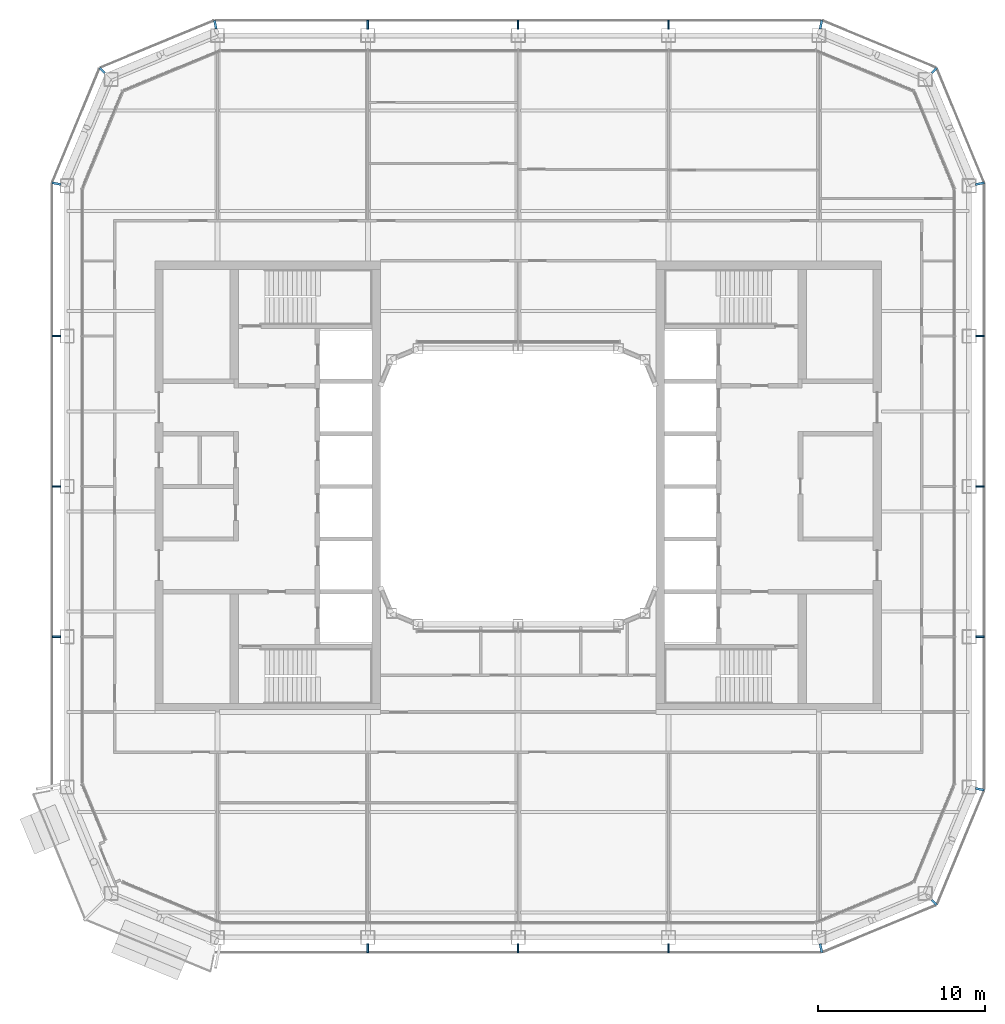
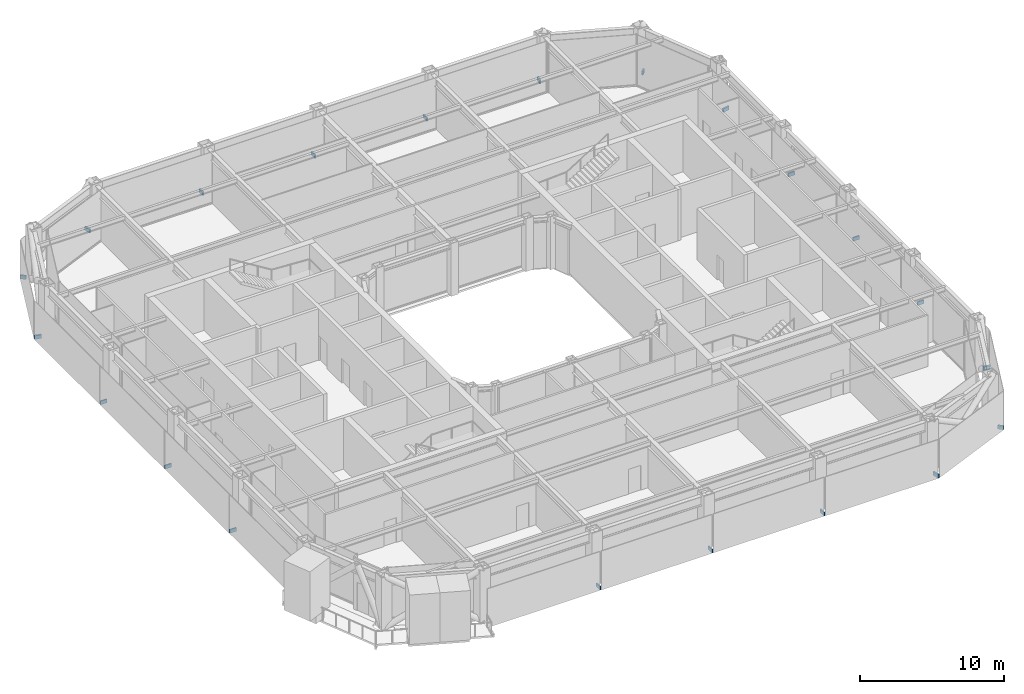
# One storey, part 19 of 24: 21 discrete accessories.
"""IFC4 building model written with IfcOpenShell, lengths in metres."""

from ifc_helpers import new_model, si_unit, direction, frame, origin, origin_2d, place, context, subcontext, project, spatial, rectangle, extrude, material, type_object, element, save


model = new_model("IFC4")

# Units and contexts
model_context = context("Model", 3, precision=1e-05, world=origin(), true_north=direction((0.0, 1.0)))
body_context = subcontext(model_context, "Body", "Model", "MODEL_VIEW")
ifc_project = project(units=[si_unit("LENGTHUNIT", "METRE"), si_unit("AREAUNIT", "SQUARE_METRE"), si_unit("VOLUMEUNIT", "CUBIC_METRE"), si_unit("PLANEANGLEUNIT", "RADIAN"), si_unit("MASSUNIT", "GRAM", prefix="KILO")], contexts=[model_context])

# Site, building, storey
site_placement = place(None, origin())
site = spatial("IfcSite", under=ifc_project, at=site_placement, CompositionType="ELEMENT")
building_placement = place(site_placement, origin())
building = spatial("IfcBuilding", under=site, at=building_placement, Name="Siwar Civic Tower", CompositionType="ELEMENT")
storey_placement = place(building_placement, frame((0.0, 0.0, 215.199951171875)))
storey = spatial("IfcBuildingStorey", under=building, at=storey_placement, Name="L46", CompositionType="ELEMENT", Elevation=215.199951171875)

# Discrete accessories
ifc_material = material(Name="Stainless steel 316", Category="steel")
discrete_accessory_type = type_object("IfcDiscreteAccessoryType", Name="ENV-BRACKET", PredefinedType="BRACKET", material=ifc_material)
for number, where, z_axis, x_axis, name in (
    (1, (27.639892578125, -9.0, -0.14990234375), (0.0, 0.0, 1.0), (1.0, 0.0, 0.0), "Bracket outer skin joint E-01"),
    (2, (27.639892578125, 0.0, -0.14990234375), (0.0, 0.0, 1.0), (1.0, 0.0, 0.0), "Bracket outer skin joint E-02"),
    (3, (27.639892578125, 9.0, -0.14990234375), (0.0, 0.0, 1.0), (1.0, 0.0, 0.0), "Bracket outer skin joint E-03"),
    (4, (9.0, 27.639892578125, -0.14990234375), (0.0, 0.0, 1.0), (0.0, 1.0, 0.0), "Bracket outer skin joint N-01"),
    (5, (0.0, 27.639892578125, -0.14990234375), (0.0, 0.0, 1.0), (0.0, 1.0, 0.0), "Bracket outer skin joint N-02"),
    (6, (-9.0, 27.639892578125, -0.14990234375), (0.0, 0.0, 1.0), (0.0, 1.0, 0.0), "Bracket outer skin joint N-03"),
    (7, (-9.0, -27.639892578125, -0.14990234375), (0.0, 0.0, 1.0), (0.0, -1.0, 0.0), "Bracket outer skin joint S-01"),
    (8, (0.0, -27.639892578125, -0.14990234375), (0.0, 0.0, 1.0), (0.0, -1.0, 0.0), "Bracket outer skin joint S-02"),
    (9, (9.0, -27.639892578125, -0.14990234375), (0.0, 0.0, 1.0), (0.0, -1.0, 0.0), "Bracket outer skin joint S-03"),
):
    element("IfcDiscreteAccessory", number, at=place(storey_placement, frame(where, z_axis=z_axis, x_axis=x_axis)), inside=storey, type_object=discrete_accessory_type, Name=name, PredefinedType="BRACKET", context=body_context, shape_type="SweptSolid", body=[
        extrude(rectangle(XDim=0.52001953125, YDim=0.10009765625, at=origin_2d()), origin(), (0.0, 0.0, 1.0), 0.300048828125),
    ])
discrete_accessory_1_placement = place(storey_placement, frame((18.12744140625, -27.64013671875, -0.14990234375), z_axis=(0.0, 0.0, 1.0), x_axis=(0.195090322016, -0.980785280403, 0.0)))
element("IfcDiscreteAccessory", 10, at=discrete_accessory_1_placement, inside=storey, type_object=discrete_accessory_type, Name="Bracket outer skin joint V01", PredefinedType="BRACKET", context=body_context, shape_type="SweptSolid", body=[
    extrude(rectangle(XDim=0.52978515625, YDim=0.13720703125, at=origin_2d()), origin(), (0.0, 0.0, 1.0), 0.300048828125),
])
discrete_accessory_2_placement = place(storey_placement, frame((24.9013671875, -24.9013671875, -0.14990234375), z_axis=(0.0, 0.0, 1.0), x_axis=(0.707106781187, -0.707106781187, 0.0)))
element("IfcDiscreteAccessory", 11, at=discrete_accessory_2_placement, inside=storey, type_object=discrete_accessory_type, Name="Bracket outer skin joint V02", PredefinedType="BRACKET", context=body_context, shape_type="SweptSolid", body=[
    extrude(rectangle(XDim=0.428466796875, YDim=0.12939453125, at=origin_2d()), origin(), (0.0, 0.0, 1.0), 0.300048828125),
])
for number, where, z_axis, x_axis, name in (
    (12, (27.64013671875, -18.12744140625, -0.14990234375), (0.0, 0.0, 1.0), (0.980785280403, -0.195090322016, 0.0), "Bracket outer skin joint V03"),
    (13, (27.64013671875, 18.12744140625, -0.14990234375), (0.0, 0.0, 1.0), (0.980785280403, 0.195090322016, 0.0), "Bracket outer skin joint V04"),
):
    element("IfcDiscreteAccessory", number, at=place(storey_placement, frame(where, z_axis=z_axis, x_axis=x_axis)), inside=storey, type_object=discrete_accessory_type, Name=name, PredefinedType="BRACKET", context=body_context, shape_type="SweptSolid", body=[
        extrude(rectangle(XDim=0.52978515625, YDim=0.13720703125, at=origin_2d()), origin(), (0.0, 0.0, 1.0), 0.300048828125),
    ])
discrete_accessory_3_placement = place(storey_placement, frame((24.9013671875, 24.9013671875, -0.14990234375), z_axis=(0.0, 0.0, 1.0), x_axis=(0.707106781187, 0.707106781187, 0.0)))
element("IfcDiscreteAccessory", 14, at=discrete_accessory_3_placement, inside=storey, type_object=discrete_accessory_type, Name="Bracket outer skin joint V05", PredefinedType="BRACKET", context=body_context, shape_type="SweptSolid", body=[
    extrude(rectangle(XDim=0.428466796875, YDim=0.12939453125, at=origin_2d()), origin(), (0.0, 0.0, 1.0), 0.300048828125),
])
for number, where, z_axis, x_axis, name in (
    (15, (18.12744140625, 27.64013671875, -0.14990234375), (0.0, 0.0, 1.0), (0.195090322016, 0.980785280403, 0.0), "Bracket outer skin joint V06"),
    (16, (-18.12744140625, 27.64013671875, -0.14990234375), (0.0, 0.0, 1.0), (-0.195090322016, 0.980785280403, 0.0), "Bracket outer skin joint V07"),
):
    element("IfcDiscreteAccessory", number, at=place(storey_placement, frame(where, z_axis=z_axis, x_axis=x_axis)), inside=storey, type_object=discrete_accessory_type, Name=name, PredefinedType="BRACKET", context=body_context, shape_type="SweptSolid", body=[
        extrude(rectangle(XDim=0.52978515625, YDim=0.13720703125, at=origin_2d()), origin(), (0.0, 0.0, 1.0), 0.300048828125),
    ])
discrete_accessory_4_placement = place(storey_placement, frame((-24.9013671875, 24.9013671875, -0.14990234375), z_axis=(0.0, 0.0, 1.0), x_axis=(-0.707106781187, 0.707106781187, 0.0)))
element("IfcDiscreteAccessory", 17, at=discrete_accessory_4_placement, inside=storey, type_object=discrete_accessory_type, Name="Bracket outer skin joint V08", PredefinedType="BRACKET", context=body_context, shape_type="SweptSolid", body=[
    extrude(rectangle(XDim=0.428466796875, YDim=0.12939453125, at=origin_2d()), origin(), (0.0, 0.0, 1.0), 0.300048828125),
])
discrete_accessory_5_placement = place(storey_placement, frame((-27.64013671875, 18.12744140625, -0.14990234375), z_axis=(0.0, 0.0, 1.0), x_axis=(-0.980785280403, 0.195090322016, 0.0)))
element("IfcDiscreteAccessory", 18, at=discrete_accessory_5_placement, inside=storey, type_object=discrete_accessory_type, Name="Bracket outer skin joint V09", PredefinedType="BRACKET", context=body_context, shape_type="SweptSolid", body=[
    extrude(rectangle(XDim=0.52978515625, YDim=0.13720703125, at=origin_2d()), origin(), (0.0, 0.0, 1.0), 0.300048828125),
])
for number, where, z_axis, x_axis, name in (
    (19, (-27.639892578125, 9.0, -0.14990234375), (0.0, 0.0, 1.0), (-1.0, 0.0, 0.0), "Bracket outer skin joint W-01"),
    (20, (-27.639892578125, 0.0, -0.14990234375), (0.0, 0.0, 1.0), (-1.0, 0.0, 0.0), "Bracket outer skin joint W-02"),
    (21, (-27.639892578125, -9.0, -0.14990234375), (0.0, 0.0, 1.0), (-1.0, 0.0, 0.0), "Bracket outer skin joint W-03"),
):
    element("IfcDiscreteAccessory", number, at=place(storey_placement, frame(where, z_axis=z_axis, x_axis=x_axis)), inside=storey, type_object=discrete_accessory_type, Name=name, PredefinedType="BRACKET", context=body_context, shape_type="SweptSolid", body=[
        extrude(rectangle(XDim=0.52001953125, YDim=0.10009765625, at=origin_2d()), origin(), (0.0, 0.0, 1.0), 0.300048828125),
    ])

save(model, "model.ifc")
